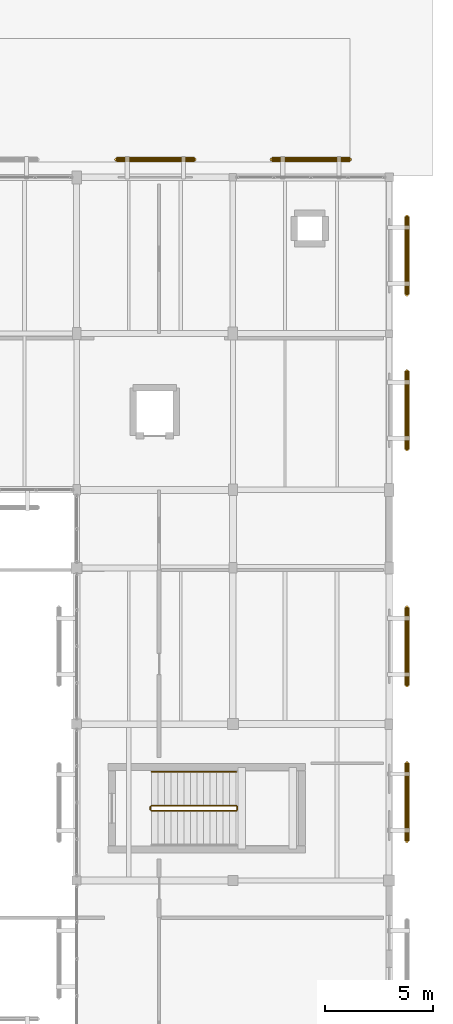
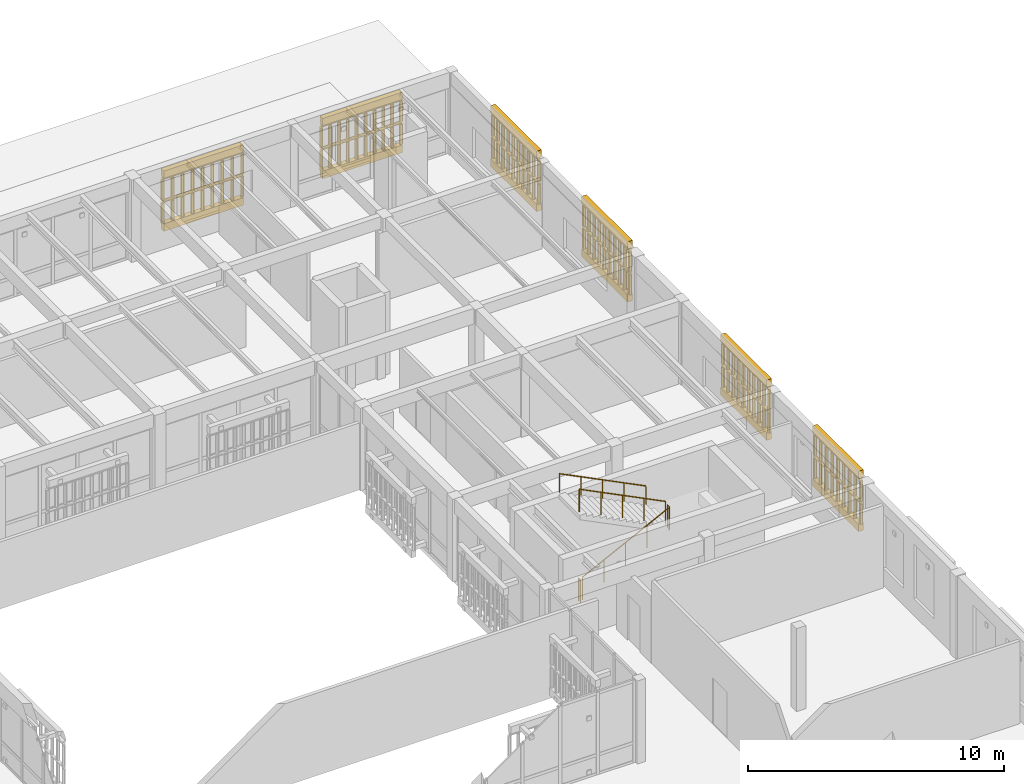
# One storey, part 111 of 112: 17 railings, 12 coverings.
"""IFC4 building model written with IfcOpenShell, lengths in metres."""

from ifc_helpers import new_model, si_unit, direction, frame, origin, origin_2d, place, context, subcontext, project, spatial, polyline, circle, outline, extrude, material, layer, layer_set, type_object, element, save


model = new_model("IFC4")

# Units and contexts
model_context = context("Model", 3, precision=1e-05, world=origin(), true_north=direction((0.0, 1.0)))
body_context = subcontext(model_context, "Body", "Model", "MODEL_VIEW")
ifc_project = project(units=[si_unit("LENGTHUNIT", "METRE"), si_unit("AREAUNIT", "SQUARE_METRE"), si_unit("VOLUMEUNIT", "CUBIC_METRE"), si_unit("PLANEANGLEUNIT", "RADIAN"), si_unit("MASSUNIT", "GRAM", prefix="KILO")], contexts=[model_context])

# Site, building, storey
site_placement = place(None, origin())
site = spatial("IfcSite", under=ifc_project, at=site_placement, CompositionType="ELEMENT")
building_placement = place(site_placement, origin())
building = spatial("IfcBuilding", under=site, at=building_placement, Name="Mazaris Harbour Polytechnic", CompositionType="ELEMENT")
storey_placement = place(building_placement, frame((0.0, 0.0, 13.800048828125)))
storey = spatial("IfcBuildingStorey", under=building, at=storey_placement, Name="L03", CompositionType="ELEMENT", Elevation=13.800048828125)

# Railings
ifc_material_1 = material(Name="Perforated Earth-Coloured Terracotta Block", Category="masonry")
railing_type_1 = type_object("IfcRailingType", Name="Perforated Earth-Block Claustra Lattice 1040", PredefinedType="BALUSTRADE", material=ifc_material_1)
for number, where, name in (
    (1, (160.22509765625, 101.6201171875, 0.52001953125), "V5 L03 Lower Perforated Terracotta Block Screen 457"),
    (2, (160.22509765625, 101.6201171875, 1.60986328125), "V5 L03 Upper Perforated Terracotta Block Screen 457"),
):
    element("IfcRailing", number, at=place(storey_placement, frame(where)), inside=storey, type_object=railing_type_1, Name=name, PredefinedType="BALUSTRADE", context=body_context, shape_type="SweptSolid", body=[
        extrude(circle(Radius=0.06982421875, at=origin_2d()), frame((0.0, 0.0, 1.02001953125), z_axis=(1.0, 0.0, 0.0), x_axis=(0.0, 1.0, 0.0)), (0.0, 0.0, 1.0), 3.599853515625),
        extrude(circle(Radius=0.074951171875, at=origin_2d()), origin(), (0.0, 0.0, 1.0), 0.9501953125),
        extrude(circle(Radius=0.074951171875, at=origin_2d()), frame((0.449951171875, 0.0, 0.0)), (0.0, 0.0, 1.0), 0.9501953125),
        extrude(circle(Radius=0.074951171875, at=origin_2d()), frame((0.89990234375, 0.0, 0.0)), (0.0, 0.0, 1.0), 0.9501953125),
        extrude(circle(Radius=0.074951171875, at=origin_2d()), frame((1.349853515625, 0.0, 0.0)), (0.0, 0.0, 1.0), 0.9501953125),
        extrude(circle(Radius=0.074951171875, at=origin_2d()), frame((1.7998046875, 0.0, 0.0)), (0.0, 0.0, 1.0), 0.9501953125),
        extrude(circle(Radius=0.074951171875, at=origin_2d()), frame((2.25, 0.0, 0.0)), (0.0, 0.0, 1.0), 0.9501953125),
        extrude(circle(Radius=0.074951171875, at=origin_2d()), frame((2.699951171875, 0.0, 0.0)), (0.0, 0.0, 1.0), 0.9501953125),
        extrude(circle(Radius=0.074951171875, at=origin_2d()), frame((3.14990234375, 0.0, 0.0)), (0.0, 0.0, 1.0), 0.9501953125),
        extrude(circle(Radius=0.074951171875, at=origin_2d()), frame((3.599853515625, 0.0, 0.0)), (0.0, 0.0, 1.0), 0.9501953125),
    ])
for number, where, name in (
    (3, (167.389892578125, 101.6201171875, 0.52001953125), "V5 L03 Lower Perforated Terracotta Block Screen 458"),
    (4, (167.389892578125, 101.6201171875, 1.60986328125), "V5 L03 Upper Perforated Terracotta Block Screen 458"),
):
    element("IfcRailing", number, at=place(storey_placement, frame(where)), inside=storey, type_object=railing_type_1, Name=name, PredefinedType="BALUSTRADE", context=body_context, shape_type="SweptSolid", body=[
        extrude(circle(Radius=0.06982421875, at=origin_2d()), frame((0.0, 0.0, 1.02001953125), z_axis=(1.0, 0.0, 0.0), x_axis=(0.0, 1.0, 0.0)), (0.0, 0.0, 1.0), 3.60009765625),
        extrude(circle(Radius=0.074951171875, at=origin_2d()), origin(), (0.0, 0.0, 1.0), 0.9501953125),
        extrude(circle(Radius=0.074951171875, at=origin_2d()), frame((0.39990234375, 0.0, 0.0)), (0.0, 0.0, 1.0), 0.9501953125),
        extrude(circle(Radius=0.074951171875, at=origin_2d()), frame((0.800048828125, 0.0, 0.0)), (0.0, 0.0, 1.0), 0.9501953125),
        extrude(circle(Radius=0.074951171875, at=origin_2d()), frame((1.199951171875, 0.0, 0.0)), (0.0, 0.0, 1.0), 0.9501953125),
        extrude(circle(Radius=0.074951171875, at=origin_2d()), frame((1.60009765625, 0.0, 0.0)), (0.0, 0.0, 1.0), 0.9501953125),
        extrude(circle(Radius=0.074951171875, at=origin_2d()), frame((2.0, 0.0, 0.0)), (0.0, 0.0, 1.0), 0.9501953125),
        extrude(circle(Radius=0.074951171875, at=origin_2d()), frame((2.400146484375, 0.0, 0.0)), (0.0, 0.0, 1.0), 0.9501953125),
        extrude(circle(Radius=0.074951171875, at=origin_2d()), frame((2.800048828125, 0.0, 0.0)), (0.0, 0.0, 1.0), 0.9501953125),
        extrude(circle(Radius=0.074951171875, at=origin_2d()), frame((3.2001953125, 0.0, 0.0)), (0.0, 0.0, 1.0), 0.9501953125),
        extrude(circle(Radius=0.074951171875, at=origin_2d()), frame((3.60009765625, 0.0, 0.0)), (0.0, 0.0, 1.0), 0.9501953125),
    ])
for number, where, name in (
    (5, (173.6201171875, 73.804931640625, 0.52001953125), "V5 L03 Lower Perforated Terracotta Block Screen 469"),
    (6, (173.6201171875, 73.804931640625, 1.60986328125), "V5 L03 Upper Perforated Terracotta Block Screen 469"),
):
    element("IfcRailing", number, at=place(storey_placement, frame(where)), inside=storey, type_object=railing_type_1, Name=name, PredefinedType="BALUSTRADE", context=body_context, shape_type="SweptSolid", body=[
        extrude(circle(Radius=0.06982421875, at=origin_2d()), frame((0.0, 0.0, 1.02001953125), z_axis=(0.0, -1.0, 0.0), x_axis=(1.0, 0.0, 0.0)), (0.0, 0.0, 1.0), 3.599853515625),
        extrude(circle(Radius=0.074951171875, at=origin_2d()), origin(), (0.0, 0.0, 1.0), 0.9501953125),
        extrude(circle(Radius=0.074951171875, at=origin_2d()), frame((0.0, -0.449951171875, 0.0)), (0.0, 0.0, 1.0), 0.9501953125),
        extrude(circle(Radius=0.074951171875, at=origin_2d()), frame((0.0, -0.89990234375, 0.0)), (0.0, 0.0, 1.0), 0.9501953125),
        extrude(circle(Radius=0.074951171875, at=origin_2d()), frame((0.0, -1.349853515625, 0.0)), (0.0, 0.0, 1.0), 0.9501953125),
        extrude(circle(Radius=0.074951171875, at=origin_2d()), frame((0.0, -1.7998046875, 0.0)), (0.0, 0.0, 1.0), 0.9501953125),
        extrude(circle(Radius=0.074951171875, at=origin_2d()), frame((0.0, -2.25, 0.0)), (0.0, 0.0, 1.0), 0.9501953125),
        extrude(circle(Radius=0.074951171875, at=origin_2d()), frame((0.0, -2.699951171875, 0.0)), (0.0, 0.0, 1.0), 0.9501953125),
        extrude(circle(Radius=0.074951171875, at=origin_2d()), frame((0.0, -3.14990234375, 0.0)), (0.0, 0.0, 1.0), 0.9501953125),
        extrude(circle(Radius=0.074951171875, at=origin_2d()), frame((0.0, -3.599853515625, 0.0)), (0.0, 0.0, 1.0), 0.9501953125),
    ])
for number, where, name in (
    (7, (173.6201171875, 80.985107421875, 0.52001953125), "V5 L03 Lower Perforated Terracotta Block Screen 470"),
    (8, (173.6201171875, 80.985107421875, 1.60986328125), "V5 L03 Upper Perforated Terracotta Block Screen 470"),
    (9, (173.6201171875, 91.864990234375, 0.52001953125), "V5 L03 Lower Perforated Terracotta Block Screen 471"),
    (10, (173.6201171875, 91.864990234375, 1.60986328125), "V5 L03 Upper Perforated Terracotta Block Screen 471"),
    (11, (173.6201171875, 98.989990234375, 0.52001953125), "V5 L03 Lower Perforated Terracotta Block Screen 472"),
    (12, (173.6201171875, 98.989990234375, 1.60986328125), "V5 L03 Upper Perforated Terracotta Block Screen 472"),
):
    element("IfcRailing", number, at=place(storey_placement, frame(where)), inside=storey, type_object=railing_type_1, Name=name, PredefinedType="BALUSTRADE", context=body_context, shape_type="SweptSolid", body=[
        extrude(circle(Radius=0.06982421875, at=origin_2d()), frame((0.0, 0.0, 1.02001953125), z_axis=(0.0, -1.0, 0.0), x_axis=(1.0, 0.0, 0.0)), (0.0, 0.0, 1.0), 3.60009765625),
        extrude(circle(Radius=0.074951171875, at=origin_2d()), origin(), (0.0, 0.0, 1.0), 0.9501953125),
        extrude(circle(Radius=0.074951171875, at=origin_2d()), frame((0.0, -0.39990234375, 0.0)), (0.0, 0.0, 1.0), 0.9501953125),
        extrude(circle(Radius=0.074951171875, at=origin_2d()), frame((0.0, -0.800048828125, 0.0)), (0.0, 0.0, 1.0), 0.9501953125),
        extrude(circle(Radius=0.074951171875, at=origin_2d()), frame((0.0, -1.199951171875, 0.0)), (0.0, 0.0, 1.0), 0.9501953125),
        extrude(circle(Radius=0.074951171875, at=origin_2d()), frame((0.0, -1.60009765625, 0.0)), (0.0, 0.0, 1.0), 0.9501953125),
        extrude(circle(Radius=0.074951171875, at=origin_2d()), frame((0.0, -2.0, 0.0)), (0.0, 0.0, 1.0), 0.9501953125),
        extrude(circle(Radius=0.074951171875, at=origin_2d()), frame((0.0, -2.400146484375, 0.0)), (0.0, 0.0, 1.0), 0.9501953125),
        extrude(circle(Radius=0.074951171875, at=origin_2d()), frame((0.0, -2.800048828125, 0.0)), (0.0, 0.0, 1.0), 0.9501953125),
        extrude(circle(Radius=0.074951171875, at=origin_2d()), frame((0.0, -3.2001953125, 0.0)), (0.0, 0.0, 1.0), 0.9501953125),
        extrude(circle(Radius=0.074951171875, at=origin_2d()), frame((0.0, -3.60009765625, 0.0)), (0.0, 0.0, 1.0), 0.9501953125),
    ])
ifc_material_2 = material(Name="Stainless Steel S355", Category="steel")
railing_type_2 = type_object("IfcRailingType", Name="Stair Wall Handrail 900", PredefinedType="HANDRAIL", material=ifc_material_2)
railing_1_placement = place(storey_placement, frame((165.75, 73.39990234375, 2.25)))
element("IfcRailing", 13, at=railing_1_placement, inside=storey, type_object=railing_type_2, Name="L03 ST10 stair handrail 2", PredefinedType="HANDRAIL", context=body_context, shape_type="SweptSolid", body=[
    extrude(circle(Radius=0.02392578125, at=origin_2d()), frame((0.0, 0.0, 0.8759765625), z_axis=(-0.894427191, 0.0, 0.4472135955), x_axis=(0.0, -1.0, 0.0)), (0.0, 0.0, 1.0), 4.360107421875),
    extrude(circle(Radius=0.02099609375, at=origin_2d()), origin(), (0.0, 0.0, 1.0), 0.851806640625),
    extrude(circle(Radius=0.02099609375, at=origin_2d()), frame((-0.97509765625, 0.0, 0.487548828125)), (0.0, 0.0, 1.0), 0.851806640625),
    extrude(circle(Radius=0.02099609375, at=origin_2d()), frame((-1.949951171875, 0.0, 0.97509765625)), (0.0, 0.0, 1.0), 0.851806640625),
    extrude(circle(Radius=0.02099609375, at=origin_2d()), frame((-2.9248046875, 0.0, 1.46240234375)), (0.0, 0.0, 1.0), 0.851806640625),
    extrude(circle(Radius=0.02099609375, at=origin_2d()), frame((-3.89990234375, 0.0, 1.949951171875)), (0.0, 0.0, 1.0), 0.851806640625),
])
ifc_material_3 = material(Name="Steel S355", Category="steel")
railing_type_3 = type_object("IfcRailingType", Name="Stair Well Guardrail 1100", PredefinedType="GUARDRAIL", material=ifc_material_3)
railing_2_placement = place(storey_placement, frame((161.85009765625, 71.60009765625, 0.14990234375)))
element("IfcRailing", 14, at=railing_2_placement, inside=storey, type_object=railing_type_3, Name="L03 ST10 stair guard 1", PredefinedType="GUARDRAIL", context=body_context, shape_type="SweptSolid", body=[
    extrude(circle(Radius=0.02392578125, at=origin_2d()), frame((0.0, 0.0, 1.076171875), z_axis=(0.894427191, 0.0, 0.4472135955), x_axis=(0.0, 1.0, 0.0)), (0.0, 0.0, 1.0), 4.360107421875),
    extrude(circle(Radius=0.02099609375, at=origin_2d()), origin(), (0.0, 0.0, 1.0), 1.052001953125),
    extrude(circle(Radius=0.02099609375, at=origin_2d()), frame((0.97509765625, 0.0, 0.487548828125)), (0.0, 0.0, 1.0), 1.052001953125),
    extrude(circle(Radius=0.02099609375, at=origin_2d()), frame((1.949951171875, 0.0, 0.97509765625)), (0.0, 0.0, 1.0), 1.052001953125),
    extrude(circle(Radius=0.02099609375, at=origin_2d()), frame((2.9248046875, 0.0, 1.46240234375)), (0.0, 0.0, 1.0), 1.052001953125),
    extrude(circle(Radius=0.02099609375, at=origin_2d()), frame((3.89990234375, 0.0, 1.949951171875)), (0.0, 0.0, 1.0), 1.052001953125),
])
railing_3_placement = place(storey_placement, frame((165.800048828125, 71.64990234375, 2.099853515625)))
element("IfcRailing", 15, at=railing_3_placement, inside=storey, type_object=railing_type_3, Name="L03 ST10 stair guard 2", PredefinedType="GUARDRAIL", context=body_context, shape_type="SweptSolid", body=[
    extrude(circle(Radius=0.02392578125, at=origin_2d()), frame((0.0, 0.0, 1.076171875), z_axis=(0.0, 1.0, 0.0), x_axis=(-1.0, 0.0, 0.0)), (0.0, 0.0, 1.0), 0.150146484375),
    extrude(circle(Radius=0.02099609375, at=origin_2d()), origin(), (0.0, 0.0, 1.0), 1.052001953125),
    extrude(circle(Radius=0.02099609375, at=origin_2d()), frame((0.0, 0.150146484375, 0.0)), (0.0, 0.0, 1.0), 1.052001953125),
])
railing_4_placement = place(storey_placement, frame((165.75, 71.85009765625, 2.25)))
element("IfcRailing", 16, at=railing_4_placement, inside=storey, type_object=railing_type_3, Name="L03 ST10 stair guard 3", PredefinedType="GUARDRAIL", context=body_context, shape_type="SweptSolid", body=[
    extrude(circle(Radius=0.02392578125, at=origin_2d()), frame((0.0, 0.0, 1.076171875), z_axis=(-0.894427191, 0.0, 0.4472135955), x_axis=(0.0, -1.0, 0.0)), (0.0, 0.0, 1.0), 4.360107421875),
    extrude(circle(Radius=0.02099609375, at=origin_2d()), origin(), (0.0, 0.0, 1.0), 1.052001953125),
    extrude(circle(Radius=0.02099609375, at=origin_2d()), frame((-0.97509765625, 0.0, 0.487548828125)), (0.0, 0.0, 1.0), 1.052001953125),
    extrude(circle(Radius=0.02099609375, at=origin_2d()), frame((-1.949951171875, 0.0, 0.97509765625)), (0.0, 0.0, 1.0), 1.052001953125),
    extrude(circle(Radius=0.02099609375, at=origin_2d()), frame((-2.9248046875, 0.0, 1.46240234375)), (0.0, 0.0, 1.0), 1.052001953125),
    extrude(circle(Radius=0.02099609375, at=origin_2d()), frame((-3.89990234375, 0.0, 1.949951171875)), (0.0, 0.0, 1.0), 1.052001953125),
])
railing_5_placement = place(storey_placement, frame((161.800048828125, 71.64990234375, 0.0)))
element("IfcRailing", 17, at=railing_5_placement, inside=storey, type_object=railing_type_3, Name="L03 ST10 stair guard 4", PredefinedType="GUARDRAIL", context=body_context, shape_type="SweptSolid", body=[
    extrude(circle(Radius=0.02392578125, at=origin_2d()), frame((0.0, 0.0, 1.076171875), z_axis=(0.0, 1.0, 0.0), x_axis=(-1.0, 0.0, 0.0)), (0.0, 0.0, 1.0), 0.150146484375),
    extrude(circle(Radius=0.02099609375, at=origin_2d()), origin(), (0.0, 0.0, 1.0), 1.052001953125),
    extrude(circle(Radius=0.02099609375, at=origin_2d()), frame((0.0, 0.150146484375, 0.0)), (0.0, 0.0, 1.0), 1.052001953125),
])

# Coverings
ifc_material_4 = material(Name="Perforated Earth-Coloured Terracotta Block", Category="masonry")
ifc_layer = layer(ifc_material_4, 0.219970703125, Name="Perforated Earth-Coloured Terracotta Block")
ifc_layer_set = layer_set([ifc_layer], Name="Perforated Earth-Coloured Terracotta Block")
covering_type = type_object("IfcCoveringType", Name="Terracotta Screen Course Cladding 220", PredefinedType="CLADDING", material=ifc_layer_set)
covering_1_placement = place(storey_placement, frame((0.0, 0.0, 0.159912109375)))
element("IfcCovering", 18, at=covering_1_placement, inside=storey, type_object=covering_type, Name="V5 L03 Perforated Screen Sill Course 457", PredefinedType="CLADDING", context=body_context, shape_type="SweptSolid", body=[
    extrude(outline(polyline([(160.22509765625, 101.510009765625), (163.824951171875, 101.510009765625), (163.824951171875, 101.72998046875), (160.22509765625, 101.72998046875), (160.22509765625, 101.510009765625)])), origin(), (0.0, 0.0, 1.0), 0.360107421875),
])
covering_2_placement = place(storey_placement, frame((0.0, 0.0, 2.699951171875)))
element("IfcCovering", 19, at=covering_2_placement, inside=storey, type_object=covering_type, Name="V5 L03 Perforated Screen Lintel Course 457", PredefinedType="CLADDING", context=body_context, shape_type="SweptSolid", body=[
    extrude(outline(polyline([(160.22509765625, 101.510009765625), (163.824951171875, 101.510009765625), (163.824951171875, 101.72998046875), (160.22509765625, 101.72998046875), (160.22509765625, 101.510009765625)])), origin(), (0.0, 0.0, 1.0), 0.340087890625),
])
covering_3_placement = place(storey_placement, frame((0.0, 0.0, 0.159912109375)))
element("IfcCovering", 20, at=covering_3_placement, inside=storey, type_object=covering_type, Name="V5 L03 Perforated Screen Sill Course 458", PredefinedType="CLADDING", context=body_context, shape_type="SweptSolid", body=[
    extrude(outline(polyline([(167.389892578125, 101.510009765625), (170.989990234375, 101.510009765625), (170.989990234375, 101.72998046875), (167.389892578125, 101.72998046875), (167.389892578125, 101.510009765625)])), origin(), (0.0, 0.0, 1.0), 0.360107421875),
])
covering_4_placement = place(storey_placement, frame((0.0, 0.0, 2.699951171875)))
element("IfcCovering", 21, at=covering_4_placement, inside=storey, type_object=covering_type, Name="V5 L03 Perforated Screen Lintel Course 458", PredefinedType="CLADDING", context=body_context, shape_type="SweptSolid", body=[
    extrude(outline(polyline([(167.389892578125, 101.510009765625), (170.989990234375, 101.510009765625), (170.989990234375, 101.72998046875), (167.389892578125, 101.72998046875), (167.389892578125, 101.510009765625)])), origin(), (0.0, 0.0, 1.0), 0.340087890625),
])
covering_5_placement = place(storey_placement, frame((0.0, 0.0, 0.159912109375)))
element("IfcCovering", 22, at=covering_5_placement, inside=storey, type_object=covering_type, Name="V5 L03 Perforated Screen Sill Course 469", PredefinedType="CLADDING", context=body_context, shape_type="SweptSolid", body=[
    extrude(outline(polyline([(173.510009765625, 73.804931640625), (173.510009765625, 70.205078125), (173.72998046875, 70.205078125), (173.72998046875, 73.804931640625), (173.510009765625, 73.804931640625)])), origin(), (0.0, 0.0, 1.0), 0.360107421875),
])
covering_6_placement = place(storey_placement, frame((0.0, 0.0, 2.699951171875)))
element("IfcCovering", 23, at=covering_6_placement, inside=storey, type_object=covering_type, Name="V5 L03 Perforated Screen Lintel Course 469", PredefinedType="CLADDING", context=body_context, shape_type="SweptSolid", body=[
    extrude(outline(polyline([(173.510009765625, 73.804931640625), (173.510009765625, 70.205078125), (173.72998046875, 70.205078125), (173.72998046875, 73.804931640625), (173.510009765625, 73.804931640625)])), origin(), (0.0, 0.0, 1.0), 0.340087890625),
])
covering_7_placement = place(storey_placement, frame((0.0, 0.0, 0.159912109375)))
element("IfcCovering", 24, at=covering_7_placement, inside=storey, type_object=covering_type, Name="V5 L03 Perforated Screen Sill Course 470", PredefinedType="CLADDING", context=body_context, shape_type="SweptSolid", body=[
    extrude(outline(polyline([(173.510009765625, 80.985107421875), (173.510009765625, 77.385009765625), (173.72998046875, 77.385009765625), (173.72998046875, 80.985107421875), (173.510009765625, 80.985107421875)])), origin(), (0.0, 0.0, 1.0), 0.360107421875),
])
covering_8_placement = place(storey_placement, frame((0.0, 0.0, 2.699951171875)))
element("IfcCovering", 25, at=covering_8_placement, inside=storey, type_object=covering_type, Name="V5 L03 Perforated Screen Lintel Course 470", PredefinedType="CLADDING", context=body_context, shape_type="SweptSolid", body=[
    extrude(outline(polyline([(173.510009765625, 80.985107421875), (173.510009765625, 77.385009765625), (173.72998046875, 77.385009765625), (173.72998046875, 80.985107421875), (173.510009765625, 80.985107421875)])), origin(), (0.0, 0.0, 1.0), 0.340087890625),
])
covering_9_placement = place(storey_placement, frame((0.0, 0.0, 0.159912109375)))
element("IfcCovering", 26, at=covering_9_placement, inside=storey, type_object=covering_type, Name="V5 L03 Perforated Screen Sill Course 471", PredefinedType="CLADDING", context=body_context, shape_type="SweptSolid", body=[
    extrude(outline(polyline([(173.510009765625, 91.864990234375), (173.510009765625, 88.264892578125), (173.72998046875, 88.264892578125), (173.72998046875, 91.864990234375), (173.510009765625, 91.864990234375)])), origin(), (0.0, 0.0, 1.0), 0.360107421875),
])
covering_10_placement = place(storey_placement, frame((0.0, 0.0, 2.699951171875)))
element("IfcCovering", 27, at=covering_10_placement, inside=storey, type_object=covering_type, Name="V5 L03 Perforated Screen Lintel Course 471", PredefinedType="CLADDING", context=body_context, shape_type="SweptSolid", body=[
    extrude(outline(polyline([(173.510009765625, 91.864990234375), (173.510009765625, 88.264892578125), (173.72998046875, 88.264892578125), (173.72998046875, 91.864990234375), (173.510009765625, 91.864990234375)])), origin(), (0.0, 0.0, 1.0), 0.340087890625),
])
covering_11_placement = place(storey_placement, frame((0.0, 0.0, 0.159912109375)))
element("IfcCovering", 28, at=covering_11_placement, inside=storey, type_object=covering_type, Name="V5 L03 Perforated Screen Sill Course 472", PredefinedType="CLADDING", context=body_context, shape_type="SweptSolid", body=[
    extrude(outline(polyline([(173.510009765625, 98.989990234375), (173.510009765625, 95.389892578125), (173.72998046875, 95.389892578125), (173.72998046875, 98.989990234375), (173.510009765625, 98.989990234375)])), origin(), (0.0, 0.0, 1.0), 0.360107421875),
])
covering_12_placement = place(storey_placement, frame((0.0, 0.0, 2.699951171875)))
element("IfcCovering", 29, at=covering_12_placement, inside=storey, type_object=covering_type, Name="V5 L03 Perforated Screen Lintel Course 472", PredefinedType="CLADDING", context=body_context, shape_type="SweptSolid", body=[
    extrude(outline(polyline([(173.510009765625, 98.989990234375), (173.510009765625, 95.389892578125), (173.72998046875, 95.389892578125), (173.72998046875, 98.989990234375), (173.510009765625, 98.989990234375)])), origin(), (0.0, 0.0, 1.0), 0.340087890625),
])

save(model, "model.ifc")
